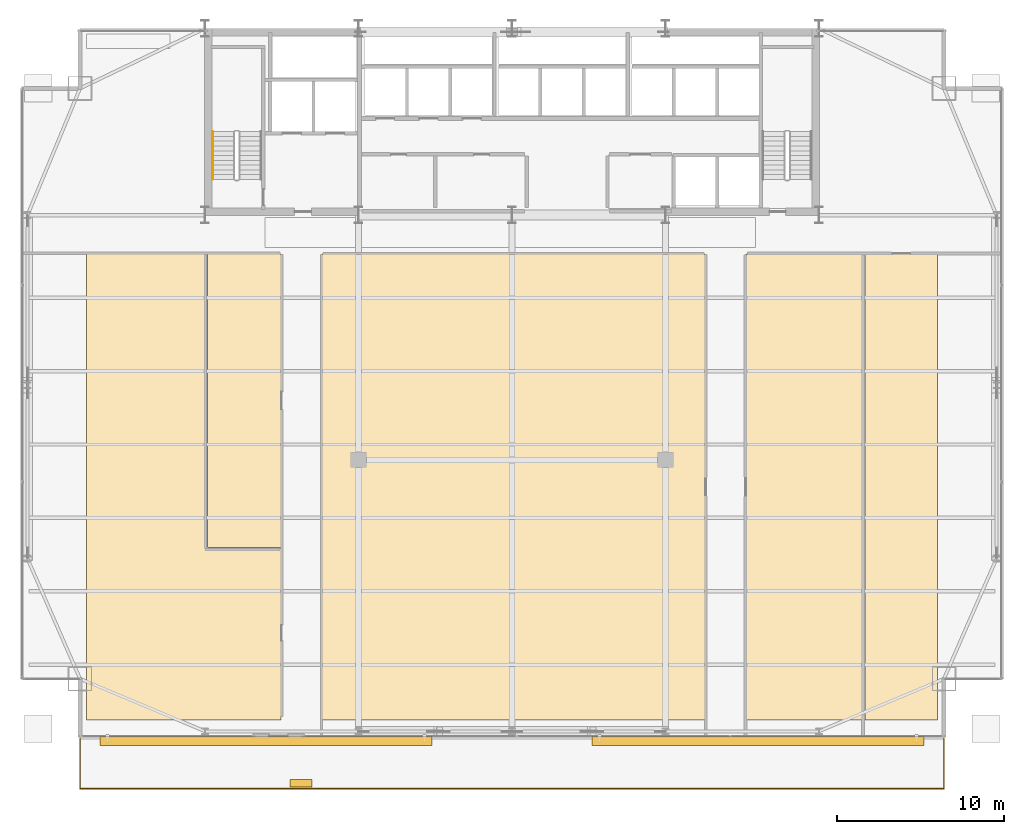
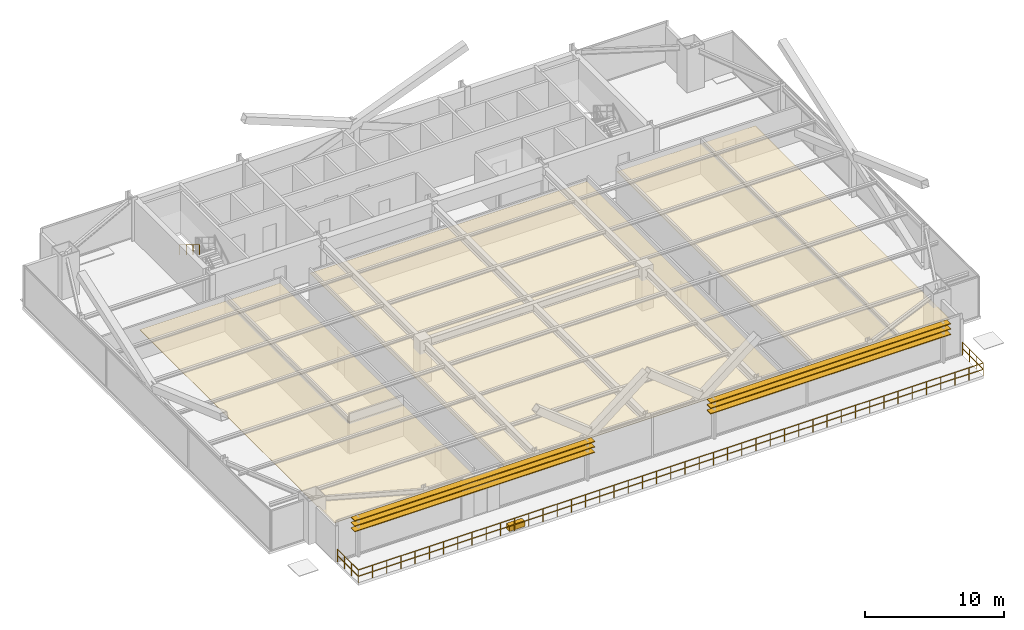
# One storey, part 34 of 35: 6 coverings, 6 shading devices, 4 railings.
"""IFC4 building model written with IfcOpenShell, lengths in metres."""

from ifc_helpers import new_model, si_unit, direction, frame, origin, origin_2d, place, context, subcontext, project, spatial, polyline, rectangle, outline, extrude, source, transform, mapped, material, layer, layer_set, type_object, type_shapes, element, save


model = new_model("IFC4")

# Units and contexts
model_context = context("Model", 3, precision=1e-05, world=origin(), true_north=direction((0.0, 1.0)))
body_context = subcontext(model_context, "Body", "Model", "MODEL_VIEW")
ifc_project = project(units=[si_unit("LENGTHUNIT", "METRE"), si_unit("AREAUNIT", "SQUARE_METRE"), si_unit("VOLUMEUNIT", "CUBIC_METRE"), si_unit("PLANEANGLEUNIT", "RADIAN"), si_unit("MASSUNIT", "GRAM", prefix="KILO")], contexts=[model_context])

# Site, building, storey
site_placement = place(None, origin())
site = spatial("IfcSite", under=ifc_project, at=site_placement, CompositionType="ELEMENT")
building_placement = place(site_placement, origin())
building = spatial("IfcBuilding", under=site, at=building_placement, Name="Varnel Quay Broadcast Tower", CompositionType="ELEMENT")
storey_placement = place(building_placement, frame((0.0, 0.0, 87.0)))
storey = spatial("IfcBuildingStorey", under=building, at=storey_placement, Name="L20", CompositionType="ELEMENT", Elevation=87.0)

# Coverings
ifc_material_1 = material(Name="Micro-Perforated Acoustic Ceiling Tile")
ifc_layer_1 = layer(ifc_material_1, 0.0400390625, Name="Micro-Perforated Acoustic Ceiling Tile")
ifc_layer_set_1 = layer_set([ifc_layer_1], Name="Micro-Perforated Acoustic Ceiling Tile")
covering_type_1 = type_object("IfcCoveringType", Name="Cov_AcousticCeiling", PredefinedType="CEILING", material=ifc_layer_set_1)
covering_1_placement = place(storey_placement, frame((0.0, 0.0, 2.580078125)))
element("IfcCovering", 1, at=covering_1_placement, inside=storey, type_object=covering_type_1, Name="L20 Bureau Office 1 Acoustic Ceiling", PredefinedType="CEILING", context=body_context, shape_type="SweptSolid", body=[
    extrude(outline(polyline([(8.485107421875, 5.324951171875), (20.14501953125, 5.324951171875), (20.14501953125, 15.614990234375), (15.6650390625, 15.614990234375), (15.6650390625, 33.264892578125), (8.485107421875, 33.264892578125), (8.485107421875, 5.324951171875)])), origin(), (0.0, 0.0, 1.0), 0.0400390625),
])
covering_2_placement = place(storey_placement, frame((0.0, 0.0, 2.580078125)))
element("IfcCovering", 2, at=covering_2_placement, inside=storey, type_object=covering_type_1, Name="L20 Editorial Huddle Room 2 Acoustic Ceiling", PredefinedType="CEILING", context=body_context, shape_type="SweptSolid", body=[
    extrude(outline(polyline([(15.735107421875, 15.68505859375), (20.14501953125, 15.68505859375), (20.14501953125, 33.264892578125), (15.735107421875, 33.264892578125), (15.735107421875, 15.68505859375)])), origin(), (0.0, 0.0, 1.0), 0.0400390625),
])
covering_3_placement = place(storey_placement, frame((0.0, 0.0, 2.580078125)))
element("IfcCovering", 3, at=covering_3_placement, inside=storey, type_object=covering_type_1, Name="L20 Reading Lounge 3 Acoustic Ceiling", PredefinedType="CEILING", context=body_context, shape_type="SweptSolid", body=[
    extrude(outline(polyline([(22.614990234375, 5.324951171875), (45.574951171875, 5.324951171875), (45.574951171875, 33.264892578125), (22.614990234375, 33.264892578125), (22.614990234375, 5.324951171875)])), origin(), (0.0, 0.0, 1.0), 0.0400390625),
])
covering_4_placement = place(storey_placement, frame((0.0, 0.0, 2.580078125)))
element("IfcCovering", 4, at=covering_4_placement, inside=storey, type_object=covering_type_1, Name="L20 Broadcast Seminar Room 4 Acoustic Ceiling", PredefinedType="CEILING", context=body_context, shape_type="SweptSolid", body=[
    extrude(outline(polyline([(48.044921875, 5.324951171875), (55.10498046875, 5.324951171875), (55.10498046875, 33.264892578125), (48.044921875, 33.264892578125), (48.044921875, 5.324951171875)])), origin(), (0.0, 0.0, 1.0), 0.0400390625),
])
covering_5_placement = place(storey_placement, frame((0.0, 0.0, 2.580078125)))
element("IfcCovering", 5, at=covering_5_placement, inside=storey, type_object=covering_type_1, Name="L20 Press Briefing Room 5 Acoustic Ceiling", PredefinedType="CEILING", context=body_context, shape_type="SweptSolid", body=[
    extrude(outline(polyline([(55.175048828125, 5.324951171875), (59.514892578125, 5.324951171875), (59.514892578125, 33.264892578125), (55.175048828125, 33.264892578125), (55.175048828125, 5.324951171875)])), origin(), (0.0, 0.0, 1.0), 0.0400390625),
])

# Railings
ifc_material_2 = material(Name="Anodised Bronze Aluminium 6063-T6", Category="aluminium")
railing_type_1 = type_object("IfcRailingType", Name="Rail_Balustrade1150", PredefinedType="BALUSTRADE", material=ifc_material_2)
railing_1_placement = place(storey_placement, frame((8.10009765625, 1.199951171875, 0.0)))
element("IfcRailing", 6, at=railing_1_placement, inside=storey, type_object=railing_type_1, Name="L20 Terrace 1 Guard 1", PredefinedType="BALUSTRADE", context=body_context, shape_type="SweptSolid", body=[
    extrude(rectangle(XDim=0.048095703125, YDim=0.048095703125, at=origin_2d()), frame((0.0, 0.0, 1.1259765625), z_axis=(1.0, 0.0, 0.0), x_axis=(0.0, 1.0, 0.0)), (0.0, 0.0, 1.0), 51.7998046875),
    extrude(rectangle(XDim=0.048095703125, YDim=0.048095703125, at=origin_2d()), frame((0.0, 0.0, 0.574951171875), z_axis=(1.0, 0.0, 0.0), x_axis=(0.0, 1.0, 0.0)), (0.0, 0.0, 1.0), 51.7998046875),
    extrude(rectangle(XDim=0.0419921875, YDim=0.0419921875, at=origin_2d()), origin(), (0.0, 0.0, 1.0), 1.101806640625),
    extrude(rectangle(XDim=0.0419921875, YDim=0.0419921875, at=origin_2d()), frame((1.17724609375, 0.0, 0.0)), (0.0, 0.0, 1.0), 1.101806640625),
    extrude(rectangle(XDim=0.0419921875, YDim=0.0419921875, at=origin_2d()), frame((2.3544921875, 0.0, 0.0)), (0.0, 0.0, 1.0), 1.101806640625),
    extrude(rectangle(XDim=0.0419921875, YDim=0.0419921875, at=origin_2d()), frame((3.53173828125, 0.0, 0.0)), (0.0, 0.0, 1.0), 1.101806640625),
    extrude(rectangle(XDim=0.0419921875, YDim=0.0419921875, at=origin_2d()), frame((4.708984375, 0.0, 0.0)), (0.0, 0.0, 1.0), 1.101806640625),
    extrude(rectangle(XDim=0.0419921875, YDim=0.0419921875, at=origin_2d()), frame((5.88623046875, 0.0, 0.0)), (0.0, 0.0, 1.0), 1.101806640625),
    extrude(rectangle(XDim=0.0419921875, YDim=0.0419921875, at=origin_2d()), frame((7.063720703125, 0.0, 0.0)), (0.0, 0.0, 1.0), 1.101806640625),
    extrude(rectangle(XDim=0.0419921875, YDim=0.0419921875, at=origin_2d()), frame((8.240966796875, 0.0, 0.0)), (0.0, 0.0, 1.0), 1.101806640625),
    extrude(rectangle(XDim=0.0419921875, YDim=0.0419921875, at=origin_2d()), frame((9.418212890625, 0.0, 0.0)), (0.0, 0.0, 1.0), 1.101806640625),
    extrude(rectangle(XDim=0.0419921875, YDim=0.0419921875, at=origin_2d()), frame((10.595458984375, 0.0, 0.0)), (0.0, 0.0, 1.0), 1.101806640625),
    extrude(rectangle(XDim=0.0419921875, YDim=0.0419921875, at=origin_2d()), frame((11.772705078125, 0.0, 0.0)), (0.0, 0.0, 1.0), 1.101806640625),
    extrude(rectangle(XDim=0.0419921875, YDim=0.0419921875, at=origin_2d()), frame((12.949951171875, 0.0, 0.0)), (0.0, 0.0, 1.0), 1.101806640625),
    extrude(rectangle(XDim=0.0419921875, YDim=0.0419921875, at=origin_2d()), frame((14.127197265625, 0.0, 0.0)), (0.0, 0.0, 1.0), 1.101806640625),
    extrude(rectangle(XDim=0.0419921875, YDim=0.0419921875, at=origin_2d()), frame((15.304443359375, 0.0, 0.0)), (0.0, 0.0, 1.0), 1.101806640625),
    extrude(rectangle(XDim=0.0419921875, YDim=0.0419921875, at=origin_2d()), frame((16.481689453125, 0.0, 0.0)), (0.0, 0.0, 1.0), 1.101806640625),
    extrude(rectangle(XDim=0.0419921875, YDim=0.0419921875, at=origin_2d()), frame((17.658935546875, 0.0, 0.0)), (0.0, 0.0, 1.0), 1.101806640625),
    extrude(rectangle(XDim=0.0419921875, YDim=0.0419921875, at=origin_2d()), frame((18.836181640625, 0.0, 0.0)), (0.0, 0.0, 1.0), 1.101806640625),
    extrude(rectangle(XDim=0.0419921875, YDim=0.0419921875, at=origin_2d()), frame((20.013671875, 0.0, 0.0)), (0.0, 0.0, 1.0), 1.101806640625),
    extrude(rectangle(XDim=0.0419921875, YDim=0.0419921875, at=origin_2d()), frame((21.19091796875, 0.0, 0.0)), (0.0, 0.0, 1.0), 1.101806640625),
    extrude(rectangle(XDim=0.0419921875, YDim=0.0419921875, at=origin_2d()), frame((22.3681640625, 0.0, 0.0)), (0.0, 0.0, 1.0), 1.101806640625),
    extrude(rectangle(XDim=0.0419921875, YDim=0.0419921875, at=origin_2d()), frame((23.54541015625, 0.0, 0.0)), (0.0, 0.0, 1.0), 1.101806640625),
    extrude(rectangle(XDim=0.0419921875, YDim=0.0419921875, at=origin_2d()), frame((24.72265625, 0.0, 0.0)), (0.0, 0.0, 1.0), 1.101806640625),
    extrude(rectangle(XDim=0.0419921875, YDim=0.0419921875, at=origin_2d()), frame((25.89990234375, 0.0, 0.0)), (0.0, 0.0, 1.0), 1.101806640625),
    extrude(rectangle(XDim=0.0419921875, YDim=0.0419921875, at=origin_2d()), frame((27.0771484375, 0.0, 0.0)), (0.0, 0.0, 1.0), 1.101806640625),
    extrude(rectangle(XDim=0.0419921875, YDim=0.0419921875, at=origin_2d()), frame((28.25439453125, 0.0, 0.0)), (0.0, 0.0, 1.0), 1.101806640625),
    extrude(rectangle(XDim=0.0419921875, YDim=0.0419921875, at=origin_2d()), frame((29.431640625, 0.0, 0.0)), (0.0, 0.0, 1.0), 1.101806640625),
    extrude(rectangle(XDim=0.0419921875, YDim=0.0419921875, at=origin_2d()), frame((30.60888671875, 0.0, 0.0)), (0.0, 0.0, 1.0), 1.101806640625),
    extrude(rectangle(XDim=0.0419921875, YDim=0.0419921875, at=origin_2d()), frame((31.7861328125, 0.0, 0.0)), (0.0, 0.0, 1.0), 1.101806640625),
    extrude(rectangle(XDim=0.0419921875, YDim=0.0419921875, at=origin_2d()), frame((32.963623046875, 0.0, 0.0)), (0.0, 0.0, 1.0), 1.101806640625),
    extrude(rectangle(XDim=0.0419921875, YDim=0.0419921875, at=origin_2d()), frame((34.140869140625, 0.0, 0.0)), (0.0, 0.0, 1.0), 1.101806640625),
    extrude(rectangle(XDim=0.0419921875, YDim=0.0419921875, at=origin_2d()), frame((35.318115234375, 0.0, 0.0)), (0.0, 0.0, 1.0), 1.101806640625),
    extrude(rectangle(XDim=0.0419921875, YDim=0.0419921875, at=origin_2d()), frame((36.495361328125, 0.0, 0.0)), (0.0, 0.0, 1.0), 1.101806640625),
    extrude(rectangle(XDim=0.0419921875, YDim=0.0419921875, at=origin_2d()), frame((37.672607421875, 0.0, 0.0)), (0.0, 0.0, 1.0), 1.101806640625),
    extrude(rectangle(XDim=0.0419921875, YDim=0.0419921875, at=origin_2d()), frame((38.849853515625, 0.0, 0.0)), (0.0, 0.0, 1.0), 1.101806640625),
    extrude(rectangle(XDim=0.0419921875, YDim=0.0419921875, at=origin_2d()), frame((40.027099609375, 0.0, 0.0)), (0.0, 0.0, 1.0), 1.101806640625),
    extrude(rectangle(XDim=0.0419921875, YDim=0.0419921875, at=origin_2d()), frame((41.204345703125, 0.0, 0.0)), (0.0, 0.0, 1.0), 1.101806640625),
    extrude(rectangle(XDim=0.0419921875, YDim=0.0419921875, at=origin_2d()), frame((42.381591796875, 0.0, 0.0)), (0.0, 0.0, 1.0), 1.101806640625),
    extrude(rectangle(XDim=0.0419921875, YDim=0.0419921875, at=origin_2d()), frame((43.558837890625, 0.0, 0.0)), (0.0, 0.0, 1.0), 1.101806640625),
    extrude(rectangle(XDim=0.0419921875, YDim=0.0419921875, at=origin_2d()), frame((44.736083984375, 0.0, 0.0)), (0.0, 0.0, 1.0), 1.101806640625),
    extrude(rectangle(XDim=0.0419921875, YDim=0.0419921875, at=origin_2d()), frame((45.91357421875, 0.0, 0.0)), (0.0, 0.0, 1.0), 1.101806640625),
    extrude(rectangle(XDim=0.0419921875, YDim=0.0419921875, at=origin_2d()), frame((47.0908203125, 0.0, 0.0)), (0.0, 0.0, 1.0), 1.101806640625),
    extrude(rectangle(XDim=0.0419921875, YDim=0.0419921875, at=origin_2d()), frame((48.26806640625, 0.0, 0.0)), (0.0, 0.0, 1.0), 1.101806640625),
    extrude(rectangle(XDim=0.0419921875, YDim=0.0419921875, at=origin_2d()), frame((49.4453125, 0.0, 0.0)), (0.0, 0.0, 1.0), 1.101806640625),
    extrude(rectangle(XDim=0.0419921875, YDim=0.0419921875, at=origin_2d()), frame((50.62255859375, 0.0, 0.0)), (0.0, 0.0, 1.0), 1.101806640625),
    extrude(rectangle(XDim=0.0419921875, YDim=0.0419921875, at=origin_2d()), frame((51.7998046875, 0.0, 0.0)), (0.0, 0.0, 1.0), 1.101806640625),
])
railing_2_placement = place(storey_placement, frame((59.89990234375, 1.199951171875, 0.0)))
element("IfcRailing", 7, at=railing_2_placement, inside=storey, type_object=railing_type_1, Name="L20 Terrace 1 Guard 2", PredefinedType="BALUSTRADE", context=body_context, shape_type="SweptSolid", body=[
    extrude(rectangle(XDim=0.048095703125, YDim=0.048095703125, at=origin_2d()), frame((0.0, 0.0, 1.1259765625), z_axis=(0.0, 1.0, 0.0), x_axis=(-1.0, 0.0, 0.0)), (0.0, 0.0, 1.0), 3.0),
    extrude(rectangle(XDim=0.048095703125, YDim=0.048095703125, at=origin_2d()), frame((0.0, 0.0, 0.574951171875), z_axis=(0.0, 1.0, 0.0), x_axis=(-1.0, 0.0, 0.0)), (0.0, 0.0, 1.0), 3.0),
    extrude(rectangle(XDim=0.0419921875, YDim=0.0419921875, at=origin_2d()), origin(), (0.0, 0.0, 1.0), 1.101806640625),
    extrude(rectangle(XDim=0.0419921875, YDim=0.0419921875, at=origin_2d()), frame((0.0, 1.0, 0.0)), (0.0, 0.0, 1.0), 1.101806640625),
    extrude(rectangle(XDim=0.0419921875, YDim=0.0419921875, at=origin_2d()), frame((0.0, 2.0, 0.0)), (0.0, 0.0, 1.0), 1.101806640625),
    extrude(rectangle(XDim=0.0419921875, YDim=0.0419921875, at=origin_2d()), frame((0.0, 3.0, 0.0)), (0.0, 0.0, 1.0), 1.101806640625),
])
railing_3_placement = place(storey_placement, frame((8.10009765625, 4.199951171875, 0.0)))
element("IfcRailing", 8, at=railing_3_placement, inside=storey, type_object=railing_type_1, Name="L20 Terrace 1 Guard 4", PredefinedType="BALUSTRADE", context=body_context, shape_type="SweptSolid", body=[
    extrude(rectangle(XDim=0.048095703125, YDim=0.048095703125, at=origin_2d()), frame((0.0, 0.0, 1.1259765625), z_axis=(0.0, -1.0, 0.0), x_axis=(1.0, 0.0, 0.0)), (0.0, 0.0, 1.0), 3.0),
    extrude(rectangle(XDim=0.048095703125, YDim=0.048095703125, at=origin_2d()), frame((0.0, 0.0, 0.574951171875), z_axis=(0.0, -1.0, 0.0), x_axis=(1.0, 0.0, 0.0)), (0.0, 0.0, 1.0), 3.0),
    extrude(rectangle(XDim=0.0419921875, YDim=0.0419921875, at=origin_2d()), origin(), (0.0, 0.0, 1.0), 1.101806640625),
    extrude(rectangle(XDim=0.0419921875, YDim=0.0419921875, at=origin_2d()), frame((0.0, -1.0, 0.0)), (0.0, 0.0, 1.0), 1.101806640625),
    extrude(rectangle(XDim=0.0419921875, YDim=0.0419921875, at=origin_2d()), frame((0.0, -2.0, 0.0)), (0.0, 0.0, 1.0), 1.101806640625),
    extrude(rectangle(XDim=0.0419921875, YDim=0.0419921875, at=origin_2d()), frame((0.0, -3.0, 0.0)), (0.0, 0.0, 1.0), 1.101806640625),
])
ifc_material_3 = material(Name="Painted Steel Guard and Handrail CSA G40.21 350W", Category="steel")
railing_type_2 = type_object("IfcRailingType", Name="Rail_StairHandrail900", PredefinedType="HANDRAIL", material=ifc_material_3)
railing_4_placement = place(storey_placement, frame((16.050048828125, 40.60009765625, 2.07275390625)))
element("IfcRailing", 9, at=railing_4_placement, inside=storey, type_object=railing_type_2, Name="L20 ST-01 stair handrail 2", PredefinedType="HANDRAIL", context=body_context, shape_type="SweptSolid", body=[
    extrude(rectangle(XDim=0.048095703125, YDim=0.048095703125, at=origin_2d()), frame((0.0, 0.0, 0.8759765625), z_axis=(0.0, -0.855202751398, 0.518293598264), x_axis=(1.0, 0.0, 0.0)), (0.0, 0.0, 1.0), 3.332763671875),
    extrude(rectangle(XDim=0.0419921875, YDim=0.0419921875, at=origin_2d()), origin(), (0.0, 0.0, 1.0), 0.851806640625),
    extrude(rectangle(XDim=0.0419921875, YDim=0.0419921875, at=origin_2d()), frame((0.0, -0.949951171875, 0.57568359375)), (0.0, 0.0, 1.0), 0.851806640625),
    extrude(rectangle(XDim=0.0419921875, YDim=0.0419921875, at=origin_2d()), frame((0.0, -1.900146484375, 1.151611328125)), (0.0, 0.0, 1.0), 0.851806640625),
    extrude(rectangle(XDim=0.0419921875, YDim=0.0419921875, at=origin_2d()), frame((0.0, -2.85009765625, 1.727294921875)), (0.0, 0.0, 1.0), 0.851806640625),
])

# Covering
ifc_material_4 = material(Name="Bronze-Terracotta Extruded Ceramic Blade", Category="masonry")
ifc_layer_2 = layer(ifc_material_4, 0.449951171875, Name="Bronze-Terracotta Extruded Ceramic Blade")
ifc_layer_set_2 = layer_set([ifc_layer_2], Name="Bronze-Terracotta Extruded Ceramic Blade")
covering_type_2 = type_object("IfcCoveringType", Name="Cov_BronzePlanter", PredefinedType="CLADDING", material=ifc_layer_set_2)
shared_shape_1 = source(origin(), body_context, "Body", "SweptSolid", [
    extrude(rectangle(XDim=1.300048828125, YDim=0.449951171875, at=origin_2d()), origin(), (0.0, 0.0, 1.0), 0.449951171875),
])
type_shapes(covering_type_2, [shared_shape_1])
covering_6_placement = place(storey_placement, frame((21.35009765625, 1.550048828125, 0.0), z_axis=(0.0, 0.0, 1.0), x_axis=(1.0, 0.0, 0.0)))
element("IfcCovering", 10, at=covering_6_placement, inside=storey, type_object=covering_type_2, Name="L20 Terrace 1 Bronze Planter", PredefinedType="CLADDING", context=body_context, shape_type="MappedRepresentation", body=[
    mapped(shared_shape_1, transform((0.0, 0.0, 0.0), x_axis=(1.0, 0.0, 0.0), y_axis=(0.0, 1.0, 0.0), z_axis=(0.0, 0.0, 1.0), scale=1.0)),
])

# Shading devices
ifc_layer_3 = layer(ifc_material_4, 0.06494140625, Name="Bronze-Terracotta Extruded Ceramic Blade")
ifc_layer_set_3 = layer_set([ifc_layer_3], Name="Bronze-Terracotta Extruded Ceramic Blade")
shading_device_type = type_object("IfcShadingDeviceType", Name="Shade_LouvreBlade550", PredefinedType="JALOUSIE", material=ifc_layer_set_3)
shared_shape_2 = source(origin(), body_context, "Body", "SweptSolid", [
    extrude(rectangle(XDim=19.89990234375, YDim=0.550048828125, at=origin_2d()), origin(), (0.0, 0.0, 1.0), 0.06494140625),
])
type_shapes(shading_device_type, [shared_shape_2])
for number, where, z_axis, x_axis, name in (
    (11, (19.25, 4.06005859375, 2.447509765625), (0.0, 0.0, 1.0), (1.0, 0.0, 0.0), "L20 Lobe 1 Horizontal Louvre Blade 1"),
    (12, (19.25, 4.06005859375, 2.927490234375), (0.0, 0.0, 1.0), (1.0, 0.0, 0.0), "L20 Lobe 1 Horizontal Louvre Blade 2"),
    (13, (19.25, 4.06005859375, 3.387451171875), (0.0, 0.0, 1.0), (1.0, 0.0, 0.0), "L20 Lobe 1 Horizontal Louvre Blade 3"),
    (14, (48.75, 4.06005859375, 2.447509765625), (0.0, 0.0, 1.0), (1.0, 0.0, 0.0), "L20 Lobe 2 Horizontal Louvre Blade 1"),
    (15, (48.75, 4.06005859375, 2.927490234375), (0.0, 0.0, 1.0), (1.0, 0.0, 0.0), "L20 Lobe 2 Horizontal Louvre Blade 2"),
    (16, (48.75, 4.06005859375, 3.387451171875), (0.0, 0.0, 1.0), (1.0, 0.0, 0.0), "L20 Lobe 2 Horizontal Louvre Blade 3"),
):
    element("IfcShadingDevice", number, at=place(storey_placement, frame(where, z_axis=z_axis, x_axis=x_axis)), inside=storey, type_object=shading_device_type, Name=name, PredefinedType="JALOUSIE", context=body_context, shape_type="MappedRepresentation", body=[
        mapped(shared_shape_2, transform((0.0, 0.0, 0.0), x_axis=(1.0, 0.0, 0.0), y_axis=(0.0, 1.0, 0.0), z_axis=(0.0, 0.0, 1.0), scale=1.0)),
    ])

save(model, "model.ifc")
